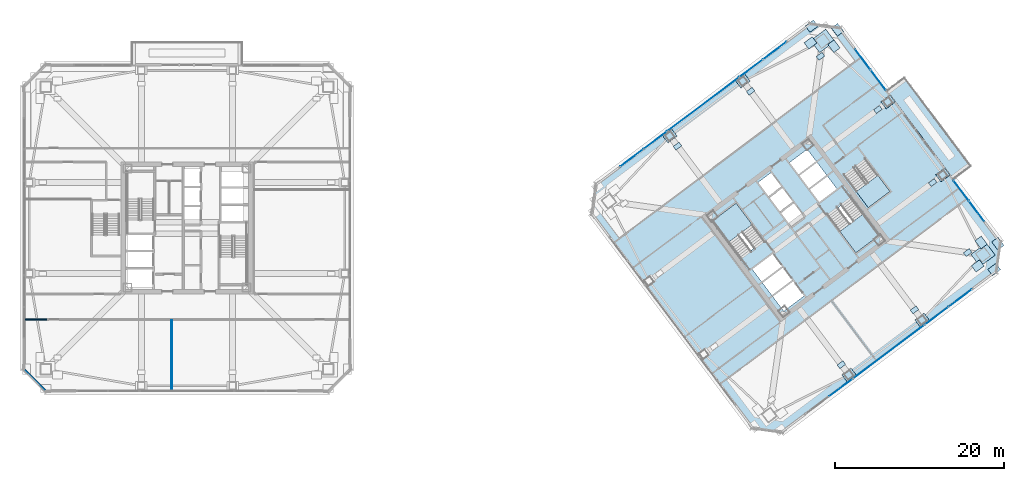
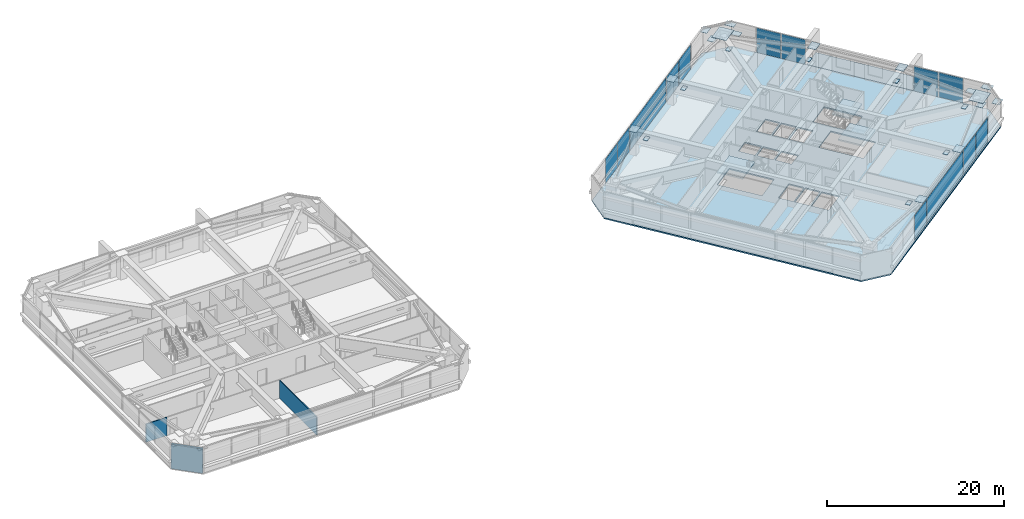
# One storey, part 31 of 42: 37 plates, 5 slabs, 3 walls, 11 elements without a shape of their own.
"""IFC4 building model written with IfcOpenShell, lengths in metres."""

from ifc_helpers import new_model, si_unit, direction, frame, frame_2d, origin, origin_2d, place, context, subcontext, project, spatial, polyline, rectangle, outline, extrude, material, layer, layer_set, type_object, element, aggregate, save


model = new_model("IFC4")

# Units and contexts
model_context = context("Model", 3, precision=1e-05, world=origin(), true_north=direction((0.0, 1.0)))
body_context = subcontext(model_context, "Body", "Model", "MODEL_VIEW")
ifc_project = project(units=[si_unit("LENGTHUNIT", "METRE"), si_unit("AREAUNIT", "SQUARE_METRE"), si_unit("VOLUMEUNIT", "CUBIC_METRE"), si_unit("PLANEANGLEUNIT", "RADIAN"), si_unit("MASSUNIT", "GRAM", prefix="KILO")], contexts=[model_context])

# Site, building, storey
site_placement = place(None, origin())
site = spatial("IfcSite", under=ifc_project, at=site_placement, CompositionType="ELEMENT")
building_placement = place(site_placement, origin())
building = spatial("IfcBuilding", under=site, at=building_placement, Name="Tashvorn Skyway Center", CompositionType="ELEMENT")
storey_placement = place(building_placement, frame((0.0, 0.0, 153.449951171875)))
storey = spatial("IfcBuildingStorey", under=building, at=storey_placement, Name="L41", CompositionType="ELEMENT", Elevation=153.449951171875)

# Curtain wall, plates
ifc_material_1 = material(Name="Thermally broken bronze-anodized aluminium 6063-T6", Category="aluminium")
curtain_wall_type = type_object("IfcCurtainWallType", Name="CW-CW-Z3", PredefinedType="NOTDEFINED", material=ifc_material_1)
curtain_wall_1_placement = place(storey_placement, origin())
curtain_wall_1 = element("IfcCurtainWall", 1, at=curtain_wall_1_placement, inside=storey, type_object=curtain_wall_type, Name="Tower 2 L41 South Unitised Curtain Wall Glazing Group 1", PredefinedType="NOTDEFINED")
ifc_material_2 = material(Name="Low-E solar-control double insulating safety glass", Category="glass")
ifc_layer_1 = layer(ifc_material_2, 0.0400390625)
ifc_layer_set_1 = layer_set([ifc_layer_1], Name="Low-E solar-control double insulating safety glass")
plate_type_1 = type_object("IfcPlateType", Name="CWP-CW-Z3", PredefinedType="CURTAIN_PANEL", material=ifc_layer_set_1)
plate_1_placement = place(storey_placement, frame((133.42236328125, 23.716796875, 0.0751953125), z_axis=(0.0, 0.0, 1.0), x_axis=(-0.799996599484, -0.600004533995, 0.0)))
plate_1 = element("IfcPlate", 2, at=plate_1_placement, type_object=plate_type_1, Name="CW-Z3 panel 1.1", PredefinedType="CURTAIN_PANEL", context=body_context, shape_type="SweptSolid", body=[
    extrude(rectangle(XDim=3.41650390625, YDim=0.0400390625, at=origin_2d()), origin(), (0.0, 0.0, 1.0), 3.39990234375),
])
plate_2_placement = place(storey_placement, frame((130.629150390625, 21.621826171875, 0.0751953125), z_axis=(0.0, 0.0, 1.0), x_axis=(-0.799996599484, -0.600004533995, 0.0)))
plate_2 = element("IfcPlate", 3, at=plate_2_placement, type_object=plate_type_1, Name="CW-Z3 panel 2.1", PredefinedType="CURTAIN_PANEL", context=body_context, shape_type="SweptSolid", body=[
    extrude(rectangle(XDim=3.41650390625, YDim=0.0400390625, at=origin_2d()), origin(), (0.0, 0.0, 1.0), 3.39990234375),
])
aggregate(curtain_wall_1, [plate_1, plate_2])

# Curtain wall, plate
curtain_wall_2_placement = place(storey_placement, origin())
curtain_wall_2 = element("IfcCurtainWall", 4, at=curtain_wall_2_placement, inside=storey, type_object=curtain_wall_type, Name="Tower 2 L41 South Unitised Curtain Wall Glazing Group 2", PredefinedType="NOTDEFINED")
plate_3_placement = place(storey_placement, frame((124.968017578125, 17.3759765625, 0.0751953125), z_axis=(0.0, 0.0, 1.0), x_axis=(-0.800002266987, -0.599996977339, 0.0)))
plate_3 = element("IfcPlate", 5, at=plate_3_placement, type_object=plate_type_1, Name="CW-Z3 panel 1.1", PredefinedType="CURTAIN_PANEL", context=body_context, shape_type="SweptSolid", body=[
    extrude(rectangle(XDim=10.436767578125, YDim=0.0400390625, at=origin_2d()), origin(), (0.0, 0.0, 1.0), 3.39990234375),
])
aggregate(curtain_wall_2, [plate_3])

curtain_wall_3_placement = place(storey_placement, origin())
curtain_wall_3 = element("IfcCurtainWall", 6, at=curtain_wall_3_placement, inside=storey, type_object=curtain_wall_type, Name="Tower 2 L41 South Unitised Curtain Wall Glazing Group 3", PredefinedType="NOTDEFINED")
plate_4_placement = place(storey_placement, frame((119.306640625, 13.130126953125, 0.0751953125), z_axis=(0.0, 0.0, 1.0), x_axis=(-0.799996599484, -0.600004533995, 0.0)))
plate_4 = element("IfcPlate", 7, at=plate_4_placement, type_object=plate_type_1, Name="CW-Z3 panel 1.1", PredefinedType="CURTAIN_PANEL", context=body_context, shape_type="SweptSolid", body=[
    extrude(rectangle(XDim=3.41650390625, YDim=0.0400390625, at=origin_2d()), origin(), (0.0, 0.0, 1.0), 3.39990234375),
])
aggregate(curtain_wall_3, [plate_4])

# Curtain wall, plates
curtain_wall_4_placement = place(storey_placement, origin())
curtain_wall_4 = element("IfcCurtainWall", 8, at=curtain_wall_4_placement, inside=storey, type_object=curtain_wall_type, Name="Tower 2 L41 North Unitised Curtain Wall Glazing Group 1", PredefinedType="NOTDEFINED")
plate_5_placement = place(storey_placement, frame((94.57763671875, 40.283203125, 0.0751953125), z_axis=(0.0, 0.0, 1.0), x_axis=(0.799996599484, 0.600004533995, 0.0)))
plate_5 = element("IfcPlate", 9, at=plate_5_placement, type_object=plate_type_1, Name="CW-Z3 panel 1.1", PredefinedType="CURTAIN_PANEL", context=body_context, shape_type="SweptSolid", body=[
    extrude(rectangle(XDim=3.41650390625, YDim=0.0400390625, at=origin_2d()), origin(), (0.0, 0.0, 1.0), 3.39990234375),
])
plate_6_placement = place(storey_placement, frame((97.370849609375, 42.378173828125, 0.0751953125), z_axis=(0.0, 0.0, 1.0), x_axis=(0.799996599484, 0.600004533995, 0.0)))
plate_6 = element("IfcPlate", 10, at=plate_6_placement, type_object=plate_type_1, Name="CW-Z3 panel 2.1", PredefinedType="CURTAIN_PANEL", context=body_context, shape_type="SweptSolid", body=[
    extrude(rectangle(XDim=3.41650390625, YDim=0.0400390625, at=origin_2d()), origin(), (0.0, 0.0, 1.0), 3.39990234375),
])
aggregate(curtain_wall_4, [plate_5, plate_6])

# Curtain wall, plate
curtain_wall_5_placement = place(storey_placement, origin())
curtain_wall_5 = element("IfcCurtainWall", 11, at=curtain_wall_5_placement, inside=storey, type_object=curtain_wall_type, Name="Tower 2 L41 North Unitised Curtain Wall Glazing Group 2", PredefinedType="NOTDEFINED")
plate_7_placement = place(storey_placement, frame((103.031982421875, 46.6240234375, 0.0751953125), z_axis=(0.0, 0.0, 1.0), x_axis=(0.800002266987, 0.599996977339, 0.0)))
plate_7 = element("IfcPlate", 12, at=plate_7_placement, type_object=plate_type_1, Name="CW-Z3 panel 1.1", PredefinedType="CURTAIN_PANEL", context=body_context, shape_type="SweptSolid", body=[
    extrude(rectangle(XDim=10.436767578125, YDim=0.0400390625, at=origin_2d()), origin(), (0.0, 0.0, 1.0), 3.39990234375),
])
aggregate(curtain_wall_5, [plate_7])

# Curtain wall, plates
curtain_wall_6_placement = place(storey_placement, origin())
curtain_wall_6 = element("IfcCurtainWall", 13, at=curtain_wall_6_placement, inside=storey, type_object=curtain_wall_type, Name="Tower 2 L41 North Unitised Curtain Wall Glazing Group 3", PredefinedType="NOTDEFINED")
plate_8_placement = place(storey_placement, frame((108.693359375, 50.869873046875, 0.0751953125), z_axis=(0.0, 0.0, 1.0), x_axis=(0.799996599484, 0.600004533995, 0.0)))
plate_8 = element("IfcPlate", 14, at=plate_8_placement, type_object=plate_type_1, Name="CW-Z3 panel 1.1", PredefinedType="CURTAIN_PANEL", context=body_context, shape_type="SweptSolid", body=[
    extrude(rectangle(XDim=3.41650390625, YDim=0.0400390625, at=origin_2d()), origin(), (0.0, 0.0, 1.0), 3.39990234375),
])
plate_9_placement = place(storey_placement, frame((111.486328125, 52.96484375, 0.0751953125), z_axis=(0.0, 0.0, 1.0), x_axis=(0.799996599484, 0.600004533995, 0.0)))
plate_9 = element("IfcPlate", 15, at=plate_9_placement, type_object=plate_type_1, Name="CW-Z3 panel 2.1", PredefinedType="CURTAIN_PANEL", context=body_context, shape_type="SweptSolid", body=[
    extrude(rectangle(XDim=3.41650390625, YDim=0.0400390625, at=origin_2d()), origin(), (0.0, 0.0, 1.0), 3.39990234375),
])
aggregate(curtain_wall_6, [plate_8, plate_9])

curtain_wall_7_placement = place(storey_placement, origin())
curtain_wall_7 = element("IfcCurtainWall", 16, at=curtain_wall_7_placement, inside=storey, type_object=curtain_wall_type, Name="Tower 2 L41 East Curtain Wall L Glazing Group 1", PredefinedType="NOTDEFINED")
plate_10_placement = place(storey_placement, frame((121.891357421875, 51.945068359375, 0.0751953125), z_axis=(0.0, 0.0, 1.0), x_axis=(0.600002586214, -0.799998060333, 0.0)))
plate_10 = element("IfcPlate", 17, at=plate_10_placement, type_object=plate_type_1, Name="CW-Z3 panel 1.1", PredefinedType="CURTAIN_PANEL", context=body_context, shape_type="SweptSolid", body=[
    extrude(rectangle(XDim=2.980712890625, YDim=0.0400390625, at=origin_2d()), origin(), (0.0, 0.0, 1.0), 3.39990234375),
])
plate_11_placement = place(storey_placement, frame((123.724853515625, 49.500244140625, 0.0751953125), z_axis=(0.0, 0.0, 1.0), x_axis=(0.600002586214, -0.799998060333, 0.0)))
plate_11 = element("IfcPlate", 18, at=plate_11_placement, type_object=plate_type_1, Name="CW-Z3 panel 2.1", PredefinedType="CURTAIN_PANEL", context=body_context, shape_type="SweptSolid", body=[
    extrude(rectangle(XDim=2.980712890625, YDim=0.0400390625, at=origin_2d()), origin(), (0.0, 0.0, 1.0), 3.39990234375),
])
aggregate(curtain_wall_7, [plate_10, plate_11])

curtain_wall_8_placement = place(storey_placement, origin())
curtain_wall_8 = element("IfcCurtainWall", 19, at=curtain_wall_8_placement, inside=storey, type_object=curtain_wall_type, Name="Tower 2 L41 East Curtain Wall R Glazing Group 1", PredefinedType="NOTDEFINED")
plate_12_placement = place(storey_placement, frame((133.523193359375, 36.435791015625, 0.0751953125), z_axis=(0.0, 0.0, 1.0), x_axis=(0.600002586214, -0.799998060333, 0.0)))
plate_12 = element("IfcPlate", 20, at=plate_12_placement, type_object=plate_type_1, Name="CW-Z3 panel 1.1", PredefinedType="CURTAIN_PANEL", context=body_context, shape_type="SweptSolid", body=[
    extrude(rectangle(XDim=2.980712890625, YDim=0.0400390625, at=origin_2d()), origin(), (0.0, 0.0, 1.0), 3.39990234375),
])
plate_13_placement = place(storey_placement, frame((135.356689453125, 33.990966796875, 0.0751953125), z_axis=(0.0, 0.0, 1.0), x_axis=(0.600002586214, -0.799998060333, 0.0)))
plate_13 = element("IfcPlate", 21, at=plate_13_placement, type_object=plate_type_1, Name="CW-Z3 panel 2.1", PredefinedType="CURTAIN_PANEL", context=body_context, shape_type="SweptSolid", body=[
    extrude(rectangle(XDim=2.980712890625, YDim=0.0400390625, at=origin_2d()), origin(), (0.0, 0.0, 1.0), 3.39990234375),
])
aggregate(curtain_wall_8, [plate_12, plate_13])

# Plates
ifc_material_3 = material(Name="Steel ASTM A572 Grade 50", Category="steel")
ifc_layer_2 = layer(ifc_material_3, 0.034912109375)
ifc_layer_set_2 = layer_set([ifc_layer_2], Name="Steel ASTM A572 Grade 50")
plate_type_2 = type_object("IfcPlateType", Name="PLT-CAP-35", PredefinedType="USERDEFINED", material=ifc_layer_set_2)
for number, where, z_axis, x_axis, name in (
    (22, (137.427978515625, 27.095947265625, 3.3173828125), (0.0, 0.0, 1.0), (0.799999996291, 0.600000004945, 0.0), "Tower 2 Zone 3 S Brace Top End Plate R"),
    (23, (137.864013671875, 30.14794921875, 3.3173828125), (0.0, 0.0, 1.0), (-0.600000004945, 0.799999996291, 0.0), "Tower 2 Zone 3 E Brace Top End Plate L"),
    (24, (118.904052734375, 55.427978515625, 3.3173828125), (0.0, 0.0, 1.0), (-0.600000004945, 0.799999996291, 0.0), "Tower 2 Zone 3 E Brace Top End Plate R"),
    (25, (115.85205078125, 55.864013671875, 3.3173828125), (0.0, 0.0, 1.0), (-0.799999996291, -0.600000004945, 0.0), "Tower 2 Zone 3 N Brace Top End Plate L"),
    (26, (135.488037109375, 27.51611328125, 3.3173828125), (0.0, 0.0, 1.0), (0.799999996291, 0.600000004945, 0.0), "Tower 2 Zone 4 S Brace Base End Plate R"),
    (27, (135.884033203125, 30.2880859375, 3.3173828125), (0.0, 0.0, 1.0), (-0.600000004945, 0.799999996291, 0.0), "Tower 2 Zone 4 E Brace Base End Plate L"),
    (28, (118.48388671875, 53.488037109375, 3.3173828125), (0.0, 0.0, 1.0), (-0.600000004945, 0.799999996291, 0.0), "Tower 2 Zone 4 E Brace Base End Plate R"),
    (29, (115.7119140625, 53.884033203125, 3.3173828125), (0.0, 0.0, 1.0), (-0.799999996291, -0.600000004945, 0.0), "Tower 2 Zone 4 N Brace Base End Plate L"),
):
    element("IfcPlate", number, at=place(storey_placement, frame(where, z_axis=z_axis, x_axis=x_axis)), inside=storey, type_object=plate_type_2, Name=name, ObjectType="END PLATE", PredefinedType="USERDEFINED", context=body_context, shape_type="SweptSolid", body=[
        extrude(rectangle(XDim=1.199951171875, YDim=0.919921875, at=origin_2d()), origin(), (0.0, 0.0, 1.0), 0.034912109375),
    ])
ifc_layer_3 = layer(ifc_material_3, 0.050048828125)
ifc_layer_set_3 = layer_set([ifc_layer_3], Name="Steel ASTM A572 Grade 50")
plate_type_3 = type_object("IfcPlateType", Name="PLT-ENDCAP-1650", PredefinedType="USERDEFINED", material=ifc_layer_set_3)
for number, where, z_axis, x_axis, name in (
    (30, (136.1201171875, 28.840087890625, 3.35986328125), (0.0, 0.0, 1.0), (0.799999996291, 0.600000004945, 0.0), "Tower 2 L41 MC-SE Setback Cap End Plate"),
    (31, (117.159912109375, 54.1201171875, 3.35986328125), (0.0, 0.0, 1.0), (0.799999996291, 0.600000004945, 0.0), "Tower 2 L41 MC-NE Setback Cap End Plate"),
):
    element("IfcPlate", number, at=place(storey_placement, frame(where, z_axis=z_axis, x_axis=x_axis)), inside=storey, type_object=plate_type_3, Name=name, ObjectType="END PLATE", PredefinedType="USERDEFINED", context=body_context, shape_type="SweptSolid", body=[
        extrude(rectangle(XDim=2.25, YDim=1.780029296875, at=origin_2d()), origin(), (0.0, 0.0, 1.0), 0.050048828125),
    ])
ifc_layer_4 = layer(ifc_material_3, 0.050048828125)
ifc_layer_set_4 = layer_set([ifc_layer_4], Name="Steel ASTM A572 Grade 50")
plate_type_4 = type_object("IfcPlateType", Name="PLT-ENDCAP-900", PredefinedType="USERDEFINED", material=ifc_layer_set_4)
for number, where, z_axis, x_axis, name in (
    (32, (120.27001953125, 14.639892578125, 3.35986328125), (0.0, 0.0, 1.0), (0.799999996291, 0.600000004945, 0.0), "Tower 2 L41 FC-S1 Setback Cap End Plate"),
    (33, (128.909912109375, 21.1201171875, 3.35986328125), (0.0, 0.0, 1.0), (0.799999996291, 0.600000004945, 0.0), "Tower 2 L41 FC-S2 Setback Cap End Plate"),
    (34, (131.360107421875, 38.27001953125, 3.35986328125), (0.0, 0.0, 1.0), (0.799999996291, 0.600000004945, 0.0), "Tower 2 L41 FC-E1 Setback Cap End Plate"),
    (35, (124.8798828125, 46.909912109375, 3.35986328125), (0.0, 0.0, 1.0), (0.799999996291, 0.600000004945, 0.0), "Tower 2 L41 FC-E2 Setback Cap End Plate"),
    (36, (107.72998046875, 49.360107421875, 3.35986328125), (0.0, 0.0, 1.0), (0.799999996291, 0.600000004945, 0.0), "Tower 2 L41 FC-N1 Setback Cap End Plate"),
    (37, (99.090087890625, 42.8798828125, 3.35986328125), (0.0, 0.0, 1.0), (0.799999996291, 0.600000004945, 0.0), "Tower 2 L41 FC-N2 Setback Cap End Plate"),
):
    element("IfcPlate", number, at=place(storey_placement, frame(where, z_axis=z_axis, x_axis=x_axis)), inside=storey, type_object=plate_type_4, Name=name, ObjectType="END PLATE", PredefinedType="USERDEFINED", context=body_context, shape_type="SweptSolid", body=[
        extrude(rectangle(XDim=1.35009765625, YDim=1.050048828125, at=origin_2d()), origin(), (0.0, 0.0, 1.0), 0.050048828125),
    ])
ifc_layer_5 = layer(ifc_material_3, 0.030029296875)
ifc_layer_set_5 = layer_set([ifc_layer_5], Name="Steel ASTM A572 Grade 50")
plate_type_5 = type_object("IfcPlateType", Name="PLT-STIFF-30", PredefinedType="SHEET", material=ifc_layer_set_5)
for number, where, z_axis, x_axis, name in (
    (38, (134.300048828125, 29.10009765625, 2.455078125), (0.0, 0.0, 1.0), (0.799999996291, 0.600000004945, 0.0), "Tower 2 L41 Transfer Bearing Stiffener MC-SE"),
    (39, (116.89990234375, 52.300048828125, 2.455078125), (0.0, 0.0, 1.0), (0.799999996291, 0.600000004945, 0.0), "Tower 2 L41 Transfer Bearing Stiffener MC-NE"),
    (40, (119.3701171875, 15.840087890625, 2.455078125), (0.0, 0.0, 1.0), (0.799999996291, 0.600000004945, 0.0), "Tower 2 L41 Transfer Bearing Stiffener FC-S1"),
    (41, (128.010009765625, 22.320068359375, 2.455078125), (0.0, 0.0, 1.0), (0.799999996291, 0.600000004945, 0.0), "Tower 2 L41 Transfer Bearing Stiffener FC-S2"),
    (42, (130.159912109375, 37.3701171875, 2.455078125), (0.0, 0.0, 1.0), (0.799999996291, 0.600000004945, 0.0), "Tower 2 L41 Transfer Bearing Stiffener FC-E1"),
    (43, (123.679931640625, 46.010009765625, 2.455078125), (0.0, 0.0, 1.0), (0.799999996291, 0.600000004945, 0.0), "Tower 2 L41 Transfer Bearing Stiffener FC-E2"),
    (44, (108.6298828125, 48.159912109375, 2.455078125), (0.0, 0.0, 1.0), (0.799999996291, 0.600000004945, 0.0), "Tower 2 L41 Transfer Bearing Stiffener FC-N1"),
    (45, (99.989990234375, 41.679931640625, 2.455078125), (0.0, 0.0, 1.0), (0.799999996291, 0.600000004945, 0.0), "Tower 2 L41 Transfer Bearing Stiffener FC-N2"),
):
    element("IfcPlate", number, at=place(storey_placement, frame(where, z_axis=z_axis, x_axis=x_axis)), inside=storey, type_object=plate_type_5, Name=name, PredefinedType="SHEET", context=body_context, shape_type="SweptSolid", body=[
        extrude(rectangle(XDim=0.85009765625, YDim=0.550048828125, at=origin_2d()), origin(), (0.0, 0.0, 1.0), 0.030029296875),
    ])

# Slab
ifc_material_4 = material(Name="Concrete C40/50", Category="concrete")
ifc_layer_6 = layer(ifc_material_4, 0.179931640625)
ifc_layer_set_6 = layer_set([ifc_layer_6], Name="Concrete C40/50")
slab_type_1 = type_object("IfcSlabType", Name="SLAB-FLR-180", PredefinedType="FLOOR", material=ifc_layer_set_6)
slab_1_placement = place(storey_placement, frame((0.0, 0.0, -0.179931640625)))
element("IfcSlab", 46, at=slab_1_placement, inside=storey, type_object=slab_type_1, Name="Tower 2 L41 Composite Floor Slab", PredefinedType="FLOOR", context=body_context, shape_type="SweptSolid", body=[
    extrude(outline(polyline([(112.39990234375, 7.800048828125), (137.679931640625, 26.760009765625), (138.199951171875, 30.39990234375), (119.239990234375, 55.679931640625), (115.60009765625, 56.199951171875), (90.320068359375, 37.239990234375), (89.800048828125, 33.60009765625), (108.760009765625, 8.320068359375), (112.39990234375, 7.800048828125)]), holes=[polyline([(110.23193359375, 30.52392578125), (106.919921875, 34.93994140625), (104.135986328125, 32.85205078125), (107.447998046875, 28.43603515625), (110.23193359375, 30.52392578125)]), polyline([(117.76806640625, 33.47607421875), (121.080078125, 29.06005859375), (123.864013671875, 31.14794921875), (120.552001953125, 35.56396484375), (117.76806640625, 33.47607421875)]), polyline([(119.7119140625, 38.18408203125), (122.5439453125, 34.407958984375), (125.10400390625, 36.327880859375), (122.27197265625, 40.10400390625), (119.7119140625, 38.18408203125)]), polyline([(109.949951171875, 25.64990234375), (112.35009765625, 27.449951171875), (111.239990234375, 28.929931640625), (108.840087890625, 27.1298828125), (109.949951171875, 25.64990234375)]), polyline([(111.14990234375, 24.050048828125), (113.550048828125, 25.85009765625), (112.43994140625, 27.330078125), (110.0400390625, 25.530029296875), (111.14990234375, 24.050048828125)]), polyline([(112.56005859375, 22.169921875), (114.9599609375, 23.969970703125), (113.669921875, 25.68994140625), (111.27001953125, 23.889892578125), (112.56005859375, 22.169921875)]), polyline([(113.449951171875, 32.14990234375), (114.969970703125, 33.2900390625), (113.739990234375, 34.929931640625), (112.219970703125, 33.7900390625), (113.449951171875, 32.14990234375)]), polyline([(112.10009765625, 33.949951171875), (113.6201171875, 35.090087890625), (112.389892578125, 36.72998046875), (110.8701171875, 35.590087890625), (112.10009765625, 33.949951171875)]), polyline([(110.75, 35.75), (112.27001953125, 36.889892578125), (111.0400390625, 38.530029296875), (109.52001953125, 37.389892578125), (110.75, 35.75)]), polyline([(116.760009765625, 35.070068359375), (118.840087890625, 36.6298828125), (117.72998046875, 38.110107421875), (115.64990234375, 36.550048828125), (116.760009765625, 35.070068359375)]), polyline([(115.530029296875, 36.7099609375), (117.610107421875, 38.27001953125), (116.5, 39.75), (114.419921875, 38.18994140625), (115.530029296875, 36.7099609375)]), polyline([(114.300048828125, 38.35009765625), (116.3798828125, 39.909912109375), (115.330078125, 41.31005859375), (113.25, 39.75), (114.300048828125, 38.35009765625)])]), origin(), (0.0, 0.0, 1.0), 0.179931640625),
])

# Stair, slab
stair_type = type_object("IfcStairType", Name="STAIR-CORE-1500", PredefinedType="HALF_TURN_STAIR", material=ifc_material_4)
stair_1_placement = place(storey_placement, origin())
stair_1 = element("IfcStair", 47, at=stair_1_placement, inside=storey, type_object=stair_type, Name="L41 Tower 2 Exit Stair 1", PredefinedType="HALF_TURN_STAIR")
ifc_layer_7 = layer(ifc_material_4, 0.199951171875)
ifc_layer_set_7 = layer_set([ifc_layer_7], Name="Concrete C40/50")
slab_type_2 = type_object("IfcSlabType", Name="SLAB-LAND-200", PredefinedType="LANDING", material=ifc_layer_set_7)
slab_2_placement = place(storey_placement, frame((0.0, 0.0, 1.574951171875)))
slab_2 = element("IfcSlab", 48, at=slab_2_placement, type_object=slab_type_2, Name="ST-T2-1 landing 1", PredefinedType="LANDING", context=body_context, shape_type="SweptSolid", body=[
    extrude(outline(polyline([(108.82080078125, 32.405517578125), (106.919921875, 34.93994140625), (104.135986328125, 32.85205078125), (106.036865234375, 30.317626953125), (108.82080078125, 32.405517578125)])), origin(), (0.0, 0.0, 1.0), 0.2001953125),
])
aggregate(stair_1, [slab_2])

stair_2_placement = place(storey_placement, origin())
stair_2 = element("IfcStair", 49, at=stair_2_placement, inside=storey, type_object=stair_type, Name="L41 Tower 2 Exit Stair 2", PredefinedType="HALF_TURN_STAIR")
slab_3_placement = place(storey_placement, frame((0.0, 0.0, 1.574951171875)))
slab_3 = element("IfcSlab", 50, at=slab_3_placement, type_object=slab_type_2, Name="ST-T2-2 landing 1", PredefinedType="LANDING", context=body_context, shape_type="SweptSolid", body=[
    extrude(outline(polyline([(119.17919921875, 31.594482421875), (121.080078125, 29.06005859375), (123.864013671875, 31.14794921875), (121.963134765625, 33.682373046875), (119.17919921875, 31.594482421875)])), origin(), (0.0, 0.0, 1.0), 0.2001953125),
])
aggregate(stair_2, [slab_3])

stair_3_placement = place(storey_placement, origin())
stair_3 = element("IfcStair", 51, at=stair_3_placement, inside=storey, type_object=stair_type, Name="L41 Tower 2 Exit Stair 3", PredefinedType="HALF_TURN_STAIR")
slab_4_placement = place(storey_placement, frame((0.0, 0.0, 1.574951171875)))
slab_4 = element("IfcSlab", 52, at=slab_4_placement, type_object=slab_type_2, Name="ST-T2-3 landing 1", PredefinedType="LANDING", context=body_context, shape_type="SweptSolid", body=[
    extrude(outline(polyline([(121.123291015625, 36.302490234375), (122.5439453125, 34.407958984375), (125.10400390625, 36.327880859375), (123.68310546875, 38.222412109375), (121.123291015625, 36.302490234375)])), origin(), (0.0, 0.0, 1.0), 0.2001953125),
])
aggregate(stair_3, [slab_4])

# Slab
ifc_layer_8 = layer(ifc_material_4, 0.179931640625)
ifc_layer_set_8 = layer_set([ifc_layer_8], Name="Concrete C40/50")
slab_type_3 = type_object("IfcSlabType", Name="SLAB-TERR-200", PredefinedType="FLOOR", material=ifc_layer_set_8)
slab_5_placement = place(storey_placement, frame((0.0, 0.0, -0.179931640625)))
element("IfcSlab", 53, at=slab_5_placement, inside=storey, type_object=slab_type_3, Name="Tower 2 L41 Sky Garden Slab", PredefinedType="FLOOR", context=body_context, shape_type="SweptSolid", body=[
    extrude(outline(polyline([(132.672119140625, 37.75390625), (134.760009765625, 39.320068359375), (126.840087890625, 49.8798828125), (124.751953125, 48.31396484375), (132.672119140625, 37.75390625)])), origin(), (0.0, 0.0, 1.0), 0.179931640625),
])

# Walls
ifc_material_5 = material(Name="Precast concrete C40/50", Category="concrete")
ifc_layer_9 = layer(ifc_material_5, 0.280029296875)
ifc_layer_set_9 = layer_set([ifc_layer_9], Name="Precast concrete C40/50")
wall_type_1 = type_object("IfcWallType", Name="WALL-EXT-280", PredefinedType="SOLIDWALL", material=ifc_layer_set_9)
wall_1_placement = place(storey_placement, frame((25.300048828125, 12.699951171875, 0.0), z_axis=(0.0, 0.0, 1.0), x_axis=(-0.707106781187, 0.707106781187, 0.0)))
element("IfcWall", 54, at=wall_1_placement, inside=storey, type_object=wall_type_1, Name="Tower 1 L41 SW Precast Chamfer Wall", PredefinedType="SOLIDWALL", context=body_context, shape_type="SweptSolid", body=[
    extrude(rectangle(XDim=3.677001953125, YDim=0.280029296875, at=frame_2d((1.83837890625, 0.0))), origin(), (0.0, 0.0, 1.0), 3.3701171875),
])
ifc_material_6 = material(Name="Gypsum board on cold-formed steel stud framing", Category="steel")
ifc_layer_10 = layer(ifc_material_6, 0.110107421875)
ifc_layer_set_10 = layer_set([ifc_layer_10], Name="Gypsum board on cold-formed steel stud framing")
wall_type_2 = type_object("IfcWallType", Name="WALL-PART-110", PredefinedType="PARTITIONING", material=ifc_layer_set_10)
wall_2_placement = place(storey_placement, frame((40.199951171875, 12.719970703125, 0.0), z_axis=(0.0, 0.0, 1.0), x_axis=(0.0, 1.0, 0.0)))
element("IfcWall", 55, at=wall_2_placement, inside=storey, type_object=wall_type_2, Name="Tower 1 L41 South Suite Partition 1", PredefinedType="PARTITIONING", context=body_context, shape_type="SweptSolid", body=[
    extrude(rectangle(XDim=8.380126953125, YDim=0.110107421875, at=frame_2d((4.18994140625, 0.0))), origin(), (0.0, 0.0, 1.0), 2.512939453125),
])
ifc_layer_11 = layer(ifc_material_6, 0.135009765625)
ifc_layer_set_11 = layer_set([ifc_layer_11], Name="Gypsum board on cold-formed steel stud framing")
wall_type_3 = type_object("IfcWallType", Name="WALL-PART-135", PredefinedType="PARTITIONING", material=ifc_layer_set_11)
wall_3_placement = place(storey_placement, frame((22.719970703125, 21.179931640625, 0.0), z_axis=(0.0, 0.0, 1.0), x_axis=(1.0, 0.0, 0.0)))
element("IfcWall", 56, at=wall_3_placement, inside=storey, type_object=wall_type_3, Name="Tower 1 L41 South-West Suite North Wall", PredefinedType="PARTITIONING", context=body_context, shape_type="SweptSolid", body=[
    extrude(rectangle(XDim=2.72998046875, YDim=0.135009765625, at=frame_2d((1.364990234375, 0.0))), origin(), (0.0, 0.0, 1.0), 2.512939453125),
])

save(model, "model.ifc")
